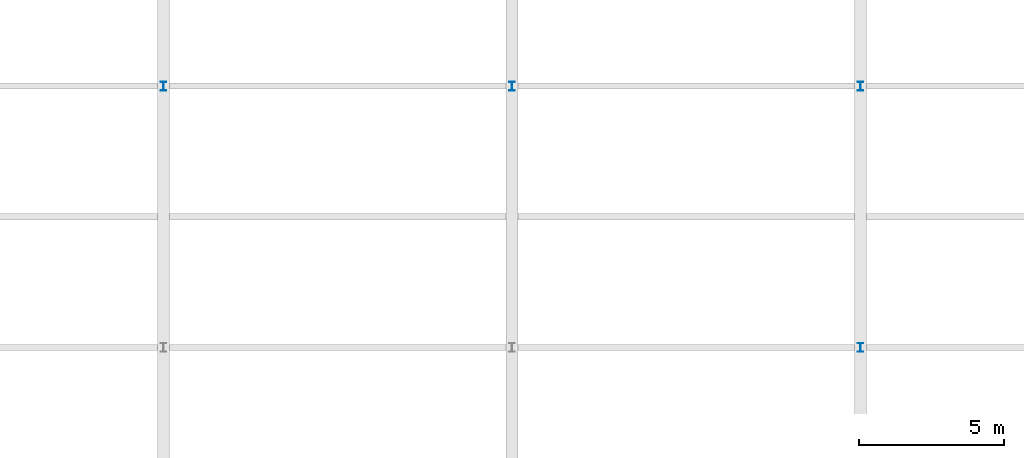
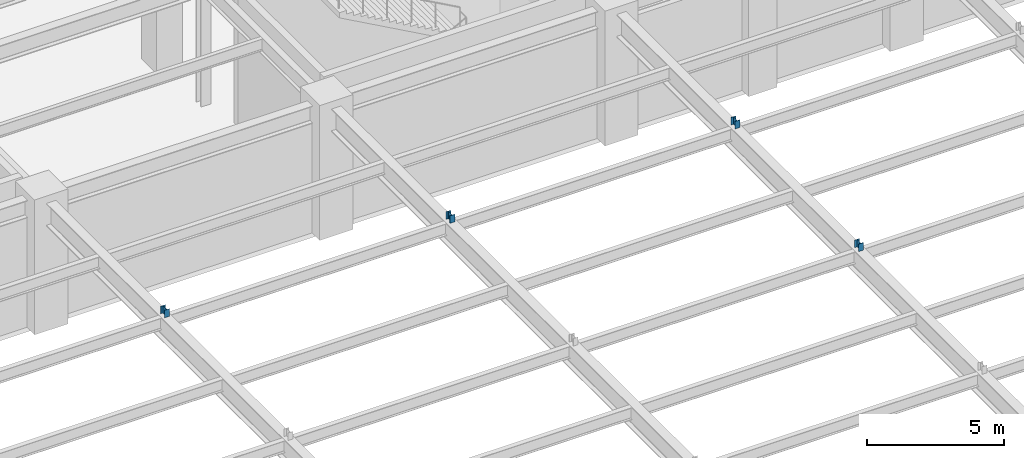
# One storey, part 77 of 105: 4 members.
"""IFC4 building model written with IfcOpenShell, lengths in metres."""

from ifc_helpers import new_model, si_unit, direction, frame, origin, origin_2d, place, context, subcontext, project, spatial, i_section, extrude, material, material_profile, profile_set, type_object, element, save


model = new_model("IFC4")

# Units and contexts
model_context = context("Model", 3, precision=1e-05, world=origin(), true_north=direction((0.0, 1.0)))
body_context = subcontext(model_context, "Body", "Model", "MODEL_VIEW")
ifc_project = project(units=[si_unit("LENGTHUNIT", "METRE"), si_unit("AREAUNIT", "SQUARE_METRE"), si_unit("VOLUMEUNIT", "CUBIC_METRE"), si_unit("PLANEANGLEUNIT", "RADIAN"), si_unit("MASSUNIT", "GRAM", prefix="KILO")], contexts=[model_context])

# Site, building, storey
site_placement = place(None, origin())
site = spatial("IfcSite", under=ifc_project, at=site_placement, CompositionType="ELEMENT")
building_placement = place(site_placement, origin())
building = spatial("IfcBuilding", under=site, at=building_placement, Name="Kaldorvane Square Convention Centre", CompositionType="ELEMENT")
storey_placement = place(building_placement, frame((0.0, 0.0, 6.0)))
storey = spatial("IfcBuildingStorey", under=building, at=storey_placement, Name="L01", CompositionType="ELEMENT", Elevation=6.0)

# Members
ifc_material = material(Name="Steel ASTM A992 Gr. 50", Category="steel")
ifc_material_profile = material_profile(ifc_material, i_section(OverallWidth=0.2032928466796875, OverallDepth=0.3032989501953125, WebThickness=0.00750732421875, FlangeThickness=0.0131072998046875, FilletRadius=0.01019287109375, at=origin_2d()), Name="W12X40")
ifc_profile_set = profile_set([ifc_material_profile], Name="Steel ASTM A992 Gr. 50")
member_type = type_object("IfcMemberType", Name="MB-HG-W12X40", PredefinedType="POST", material=ifc_profile_set)
for number, where, z_axis, x_axis, name in (
    (1, (66.0, 63.0, 5.675994873046875), (0.0, 0.0, 1.0), (1.0, 0.0, 0.0), "Exhibition Hall Ceiling Girder HG-04 Hanger 5"),
    (2, (78.0, 63.0, 5.675994873046875), (0.0, 0.0, 1.0), (1.0, 0.0, 0.0), "Exhibition Hall Ceiling Girder HG-05 Hanger 5"),
    (3, (90.0, 54.0, 5.675994873046875), (0.0, 0.0, 1.0), (1.0, 0.0, 0.0), "Exhibition Hall Ceiling Girder HG-06 Hanger 4"),
    (4, (90.0, 63.0, 5.675994873046875), (0.0, 0.0, 1.0), (1.0, 0.0, 0.0), "Exhibition Hall Ceiling Girder HG-06 Hanger 5"),
):
    element("IfcMember", number, at=place(storey_placement, frame(where, z_axis=z_axis, x_axis=x_axis)), inside=storey, type_object=member_type, Name=name, PredefinedType="POST", context=body_context, shape_type="SweptSolid", body=[
        extrude(i_section(OverallWidth=0.2032928466796875, OverallDepth=0.3032989501953125, WebThickness=0.00750732421875, FlangeThickness=0.0131072998046875, FilletRadius=0.01019287109375, at=origin_2d()), origin(), (0.0, 0.0, 1.0), 0.3332977294921875),
    ])

save(model, "model.ifc")
